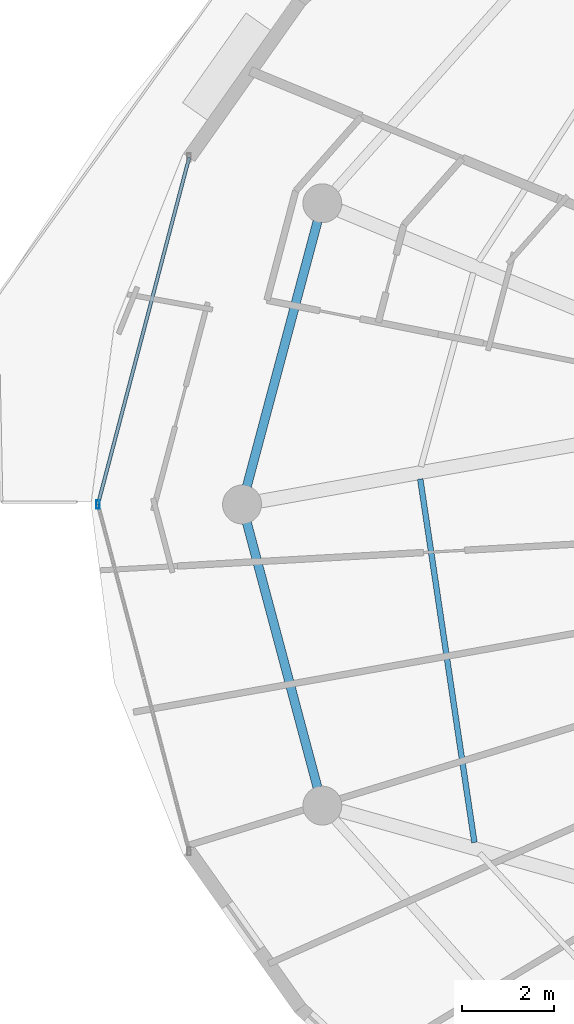
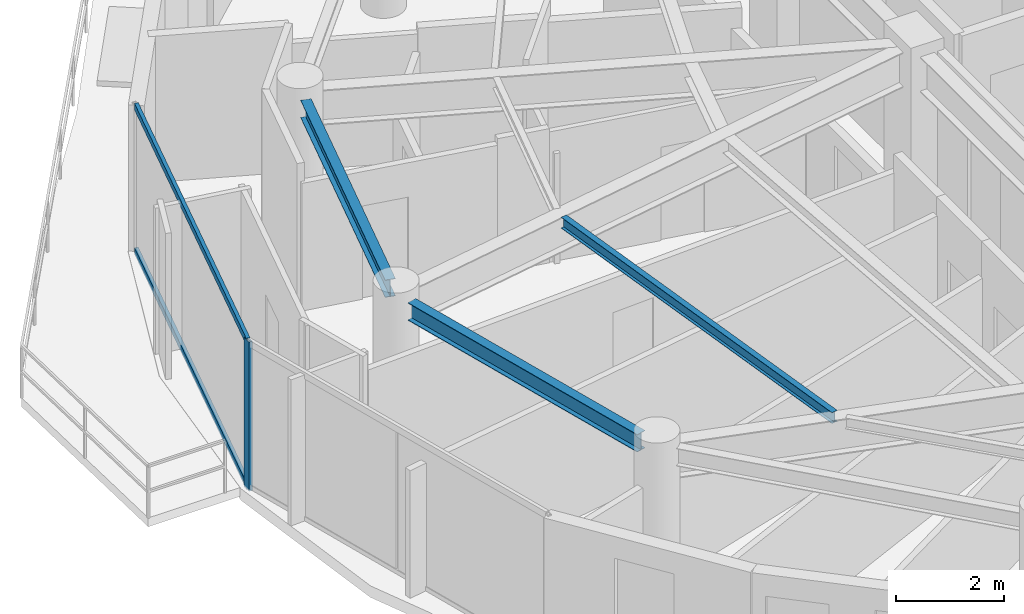
# One storey, part 6 of 29: 3 beams, 3 members, 1 element without a shape of its own.
"""IFC4 building model written with IfcOpenShell, lengths in metres."""

from ifc_helpers import new_model, si_unit, direction, frame, origin, origin_2d, place, context, subcontext, project, spatial, hollow_rectangle, i_section, extrude, material, material_profile, profile_set, type_object, element, aggregate, save


model = new_model("IFC4")

# Units and contexts
model_context = context("Model", 3, precision=1e-05, world=origin(), true_north=direction((0.0, 1.0)))
body_context = subcontext(model_context, "Body", "Model", "MODEL_VIEW")
ifc_project = project(units=[si_unit("LENGTHUNIT", "METRE"), si_unit("AREAUNIT", "SQUARE_METRE"), si_unit("VOLUMEUNIT", "CUBIC_METRE"), si_unit("PLANEANGLEUNIT", "RADIAN"), si_unit("MASSUNIT", "GRAM", prefix="KILO")], contexts=[model_context])

# Site, building, storey
site_placement = place(None, origin())
site = spatial("IfcSite", under=ifc_project, at=site_placement, CompositionType="ELEMENT")
building_placement = place(site_placement, origin())
building = spatial("IfcBuilding", under=site, at=building_placement, Name="Vorneva Point Tower", CompositionType="ELEMENT")
storey_placement = place(building_placement, frame((0.0, 0.0, 259.10009765625)))
storey = spatial("IfcBuildingStorey", under=building, at=storey_placement, Name="L70", CompositionType="ELEMENT", Elevation=259.10009765625)

# Beams
ifc_material_1 = material(Name="Steel S355", Category="steel")
ifc_material_profile_1 = material_profile(ifc_material_1, i_section(OverallWidth=0.1240234375, OverallDepth=0.248046875, WebThickness=0.0048828125, FlangeThickness=0.008056640625, at=origin_2d()), Name="25B1")
ifc_profile_set_1 = profile_set([ifc_material_profile_1], Name="Steel S355")
beam_type_1 = type_object("IfcBeamType", Name="BM-JST-25B1", PredefinedType="JOIST", material=ifc_profile_set_1)
beam_placement = place(storey_placement, frame((18.844482421875, 26.556396484375, 3.166015625), z_axis=(0.147381541566, -0.989079714283, 0.0), x_axis=(0.989079714283, 0.147381541566, 0.0)))
element("IfcBeam", 1, at=beam_placement, inside=storey, type_object=beam_type_1, Name="L70 Secondary Floor Beam 1.09", PredefinedType="JOIST", context=body_context, shape_type="SweptSolid", body=[
    extrude(i_section(OverallWidth=0.1240234375, OverallDepth=0.248046875, WebThickness=0.0048828125, FlangeThickness=0.008056640625, at=origin_2d()), origin(), (0.0, 0.0, 1.0), 8.03076171875),
])
ifc_material_profile_2 = material_profile(ifc_material_1, i_section(OverallWidth=0.198974609375, OverallDepth=0.39599609375, WebThickness=0.007080078125, FlangeThickness=0.010986328125, at=origin_2d()), Name="40B1")
ifc_profile_set_2 = profile_set([ifc_material_profile_2], Name="Steel S355")
beam_type_2 = type_object("IfcBeamType", Name="BM-SPN-40B1", PredefinedType="SPANDREL", material=ifc_profile_set_2)
for number, where, z_axis, x_axis, name in (
    (2, (16.59912109375, 32.18603515625, 3.091796875), (-0.257586570866, -0.966255224312, 0.0), (0.966255224312, -0.257586570866, 0.0), "L70 Perimeter Spandrel Ring Beam 08"),
    (3, (15.0556640625, 25.603759765625, 3.091796875), (0.257586570866, -0.966255224312, 0.0), (0.966255224312, 0.257586570866, 0.0), "L70 Perimeter Spandrel Ring Beam 09"),
):
    element("IfcBeam", number, at=place(storey_placement, frame(where, z_axis=z_axis, x_axis=x_axis)), inside=storey, type_object=beam_type_2, Name=name, PredefinedType="SPANDREL", context=body_context, shape_type="SweptSolid", body=[
        extrude(i_section(OverallWidth=0.198974609375, OverallDepth=0.39599609375, WebThickness=0.007080078125, FlangeThickness=0.010986328125, at=origin_2d()), origin(), (0.0, 0.0, 1.0), 5.991943359375),
    ])

# Curtain wall, members
ifc_material_2 = material(Name="Pale anodised aluminium", Category="aluminium")
curtain_wall_type = type_object("IfcCurtainWallType", Name="CW-RES-SYS", PredefinedType="NOTDEFINED", material=ifc_material_2)
curtain_wall_placement = place(storey_placement, origin())
curtain_wall = element("IfcCurtainWall", 4, at=curtain_wall_placement, inside=storey, type_object=curtain_wall_type, Name="L70 Unitised Curtain Wall CW-L70-R03", PredefinedType="NOTDEFINED")
ifc_material_profile_3 = material_profile(ifc_material_2, hollow_rectangle(XDim=0.074951171875, YDim=0.179931640625, WallThickness=0.00390625, at=origin_2d()), Name="AL-MUL 180x75x4")
ifc_profile_set_3 = profile_set([ifc_material_profile_3], Name="Pale anodised aluminium")
member_type_1 = type_object("IfcMemberType", Name="CW-MUL-180", PredefinedType="MULLION", material=ifc_profile_set_3)
member_1_placement = place(storey_placement, frame((11.800048828125, 26.0, -0.0400390625), z_axis=(0.0, 0.0, 1.0), x_axis=(1.0, 0.0, 0.0)))
member_1 = element("IfcMember", 5, at=member_1_placement, type_object=member_type_1, Name="CW-L70-R03 Mullion 02", PredefinedType="MULLION", context=body_context, shape_type="SweptSolid", body=[
    extrude(hollow_rectangle(XDim=0.074951171875, YDim=0.179931640625, WallThickness=0.00390625, at=origin_2d()), origin(), (0.0, 0.0, 1.0), 3.35986328125),
])
ifc_material_profile_4 = material_profile(ifc_material_2, hollow_rectangle(XDim=0.074951171875, YDim=0.14990234375, WallThickness=0.00390625, at=origin_2d()), Name="AL-TRN 150x75x4")
ifc_profile_set_4 = profile_set([ifc_material_profile_4], Name="Pale anodised aluminium")
member_type_2 = type_object("IfcMemberType", Name="CW-TRN-150", PredefinedType="USERDEFINED", material=ifc_profile_set_4)
member_2_placement = place(storey_placement, frame((13.79443359375, 33.5810546875, 0.02001953125), z_axis=(-0.254418180926, -0.967094302131, 0.0), x_axis=(0.967094302131, -0.254418180926, 0.0)))
member_2 = element("IfcMember", 6, at=member_2_placement, type_object=member_type_2, Name="CW-L70-R03 Transom 01.1", ObjectType="TRANSOM", PredefinedType="USERDEFINED", context=body_context, shape_type="SweptSolid", body=[
    extrude(hollow_rectangle(XDim=0.074951171875, YDim=0.14990234375, WallThickness=0.00390625, at=origin_2d()), origin(), (0.0, 0.0, 1.0), 7.839111328125),
])
member_3_placement = place(storey_placement, frame((13.79443359375, 33.5810546875, 3.27001953125), z_axis=(-0.254418180926, -0.967094302131, 0.0), x_axis=(0.967094302131, -0.254418180926, 0.0)))
member_3 = element("IfcMember", 7, at=member_3_placement, type_object=member_type_2, Name="CW-L70-R03 Transom 01.2", ObjectType="TRANSOM", PredefinedType="USERDEFINED", context=body_context, shape_type="SweptSolid", body=[
    extrude(hollow_rectangle(XDim=0.074951171875, YDim=0.14990234375, WallThickness=0.00390625, at=origin_2d()), origin(), (0.0, 0.0, 1.0), 7.839111328125),
])
aggregate(curtain_wall, [member_1, member_2, member_3])

save(model, "model.ifc")
